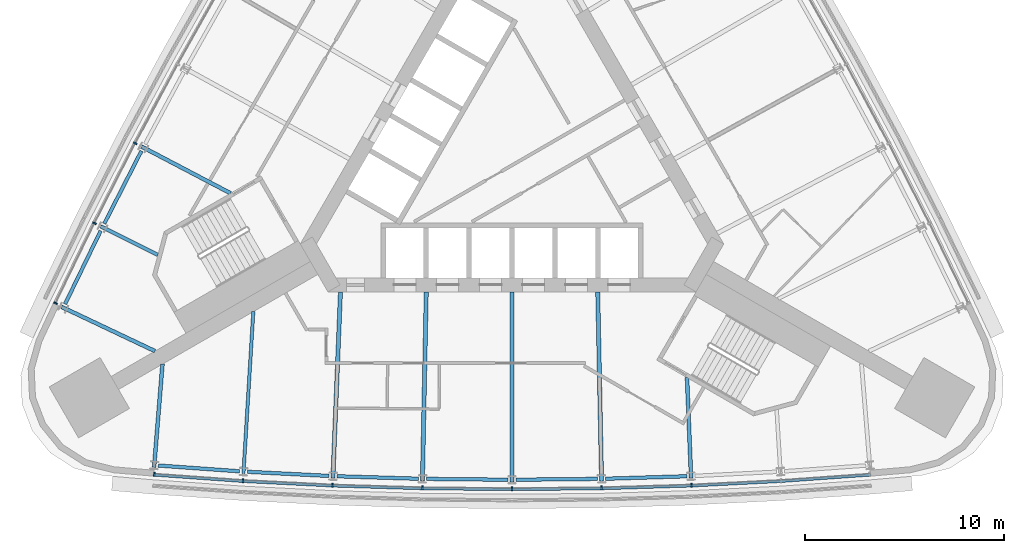
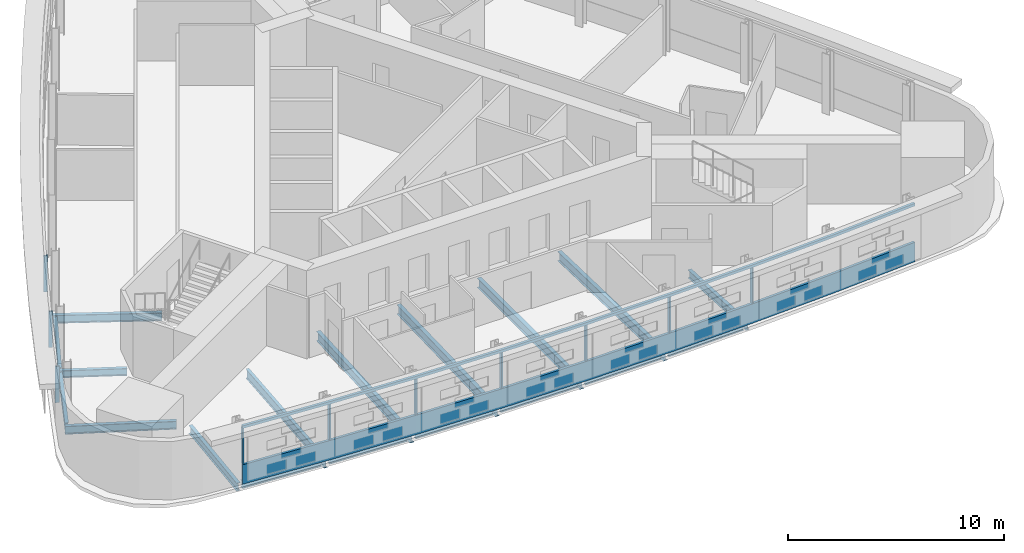
# One storey, part 2 of 11: 18 beams, 12 members, 2 elements without a shape of their own.
"""IFC4 building model written with IfcOpenShell, lengths in metres."""

from ifc_helpers import new_model, si_unit, direction, frame, origin, origin_2d, place, context, subcontext, project, spatial, polyline, rectangle, i_section, outline, extrude, material, material_profile, profile_set, type_object, element, aggregate, save


model = new_model("IFC4")

# Units and contexts
model_context = context("Model", 3, precision=1e-05, world=origin(), true_north=direction((0.0, 1.0)))
body_context = subcontext(model_context, "Body", "Model", "MODEL_VIEW")
ifc_project = project(units=[si_unit("LENGTHUNIT", "METRE"), si_unit("AREAUNIT", "SQUARE_METRE"), si_unit("VOLUMEUNIT", "CUBIC_METRE"), si_unit("PLANEANGLEUNIT", "RADIAN"), si_unit("MASSUNIT", "GRAM", prefix="KILO")], contexts=[model_context])

# Site, building, storey
site_placement = place(None, origin())
site = spatial("IfcSite", under=ifc_project, at=site_placement, CompositionType="ELEMENT")
building_placement = place(site_placement, origin())
building = spatial("IfcBuilding", under=site, at=building_placement, Name="Noor Cloister Tower", CompositionType="ELEMENT")
storey_placement = place(building_placement, frame((0.0, 0.0, 116.699951171875)))
storey = spatial("IfcBuildingStorey", under=building, at=storey_placement, Name="L30", CompositionType="ELEMENT", Elevation=116.699951171875)

# Curtain wall, member
ifc_material_1 = material(Name="Aluminium 6063-T6 anodised", Category="aluminium")
curtain_wall_type = type_object("IfcCurtainWallType", Name="Ribbon curtain wall, lower tower CW1", PredefinedType="NOTDEFINED", material=ifc_material_1)
curtain_wall_1_placement = place(storey_placement, origin())
curtain_wall_1 = element("IfcCurtainWall", 1, at=curtain_wall_1_placement, inside=storey, type_object=curtain_wall_type, Name="CW1 L30 S run 2", PredefinedType="NOTDEFINED")
ifc_material_2 = material(Name="Aluminium 6063-T6 anodised", Category="aluminium")
member_type_1 = type_object("IfcMemberType", Name="Head transom CW1 150", PredefinedType="USERDEFINED", material=ifc_material_2)
member_1_placement = place(storey_placement, frame((0.0, 0.0, 3.150146484375)))
member_1 = element("IfcMember", 2, at=member_1_placement, type_object=member_type_1, Name="CW1 head transom", ObjectType="TRANSOM", PredefinedType="USERDEFINED", context=body_context, shape_type="SweptSolid", body=[
    extrude(outline(polyline([(-17.980224609375, -16.1689453125), (-13.49169921875, -16.48828125), (-8.99755859375, -16.716552734375), (-4.499755859375, -16.853515625), (0.0, -16.899169921875), (4.499755859375, -16.853515625), (8.99755859375, -16.716552734375), (13.49169921875, -16.48828125), (17.980224609375, -16.1689453125), (17.97021484375, -16.029296875), (13.483154296875, -16.3486328125), (8.991943359375, -16.57666015625), (4.496826171875, -16.713623046875), (0.0, -16.759033203125), (-4.496826171875, -16.713623046875), (-8.991943359375, -16.57666015625), (-13.483154296875, -16.3486328125), (-17.97021484375, -16.029296875), (-17.980224609375, -16.1689453125)])), origin(), (0.0, 0.0, 1.0), 0.14990234375),
])

# Curtain wall, members
curtain_wall_2_placement = place(storey_placement, origin())
curtain_wall_2 = element("IfcCurtainWall", 3, at=curtain_wall_2_placement, inside=storey, type_object=curtain_wall_type, Name="CW1 L30 NW run 1", PredefinedType="NOTDEFINED")
ifc_material_3 = material(Name="Aluminium 6063-T6 anodised", Category="aluminium")
ifc_material_profile_1 = material_profile(ifc_material_3, rectangle(XDim=0.199951171875, YDim=0.080078125, at=origin_2d()), Name="200 x 80 mullion")
ifc_profile_set_1 = profile_set([ifc_material_profile_1], Name="Aluminium 6063-T6 anodised")
member_type_2 = type_object("IfcMemberType", Name="Mullion CW1 80 x 200", PredefinedType="MULLION", material=ifc_profile_set_1)
member_2_placement = place(storey_placement, frame((-18.88720703125, 0.519775390625, 1.10009765625), z_axis=(0.0, 0.0, 1.0), x_axis=(0.885601336169, -0.464446200733, 0.0)))
member_2 = element("IfcMember", 4, at=member_2_placement, type_object=member_type_2, Name="CW1 mullion 7", PredefinedType="MULLION", context=body_context, shape_type="SweptSolid", body=[
    extrude(rectangle(XDim=0.199951171875, YDim=0.080078125, at=origin_2d()), origin(), (0.0, 0.0, 1.0), 2.050048828125),
])
member_3_placement = place(storey_placement, frame((-20.935546875, -3.484619140625, 1.10009765625), z_axis=(0.0, 0.0, 1.0), x_axis=(0.894844162674, -0.446378678398, 0.0)))
member_3 = element("IfcMember", 5, at=member_3_placement, type_object=member_type_2, Name="CW1 mullion 8", PredefinedType="MULLION", context=body_context, shape_type="SweptSolid", body=[
    extrude(rectangle(XDim=0.199951171875, YDim=0.080078125, at=origin_2d()), origin(), (0.0, 0.0, 1.0), 2.050048828125),
])
member_4_placement = place(storey_placement, frame((-22.885498046875, -7.49462890625, 1.10009765625), z_axis=(0.0, 0.0, 1.0), x_axis=(0.899327595933, -0.437275514056, 0.0)))
member_4 = element("IfcMember", 6, at=member_4_placement, type_object=member_type_2, Name="CW1 mullion 9", PredefinedType="MULLION", context=body_context, shape_type="SweptSolid", body=[
    extrude(rectangle(XDim=0.199951171875, YDim=0.080078125, at=origin_2d()), origin(), (0.0, 0.0, 1.0), 2.050048828125),
])
aggregate(curtain_wall_2, [member_2, member_3, member_4])

# Member
member_5_placement = place(storey_placement, frame((-17.933349609375, -16.072021484375, 1.10009765625), z_axis=(0.0, 0.0, 1.0), x_axis=(0.070972094341, 0.997478301431, 0.0)))
member_5 = element("IfcMember", 7, at=member_5_placement, type_object=member_type_2, Name="CW1 mullion 1", PredefinedType="MULLION", context=body_context, shape_type="SweptSolid", body=[
    extrude(rectangle(XDim=0.199951171875, YDim=0.080078125, at=origin_2d()), origin(), (0.0, 0.0, 1.0), 2.050048828125),
])

member_6_placement = place(storey_placement, frame((-13.485595703125, -16.388427734375, 1.10009765625), z_axis=(0.0, 0.0, 1.0), x_axis=(0.060846806136, 0.998147116503, 0.0)))
member_6 = element("IfcMember", 8, at=member_6_placement, type_object=member_type_2, Name="CW1 mullion 2", PredefinedType="MULLION", context=body_context, shape_type="SweptSolid", body=[
    extrude(rectangle(XDim=0.199951171875, YDim=0.080078125, at=origin_2d()), origin(), (0.0, 0.0, 1.0), 2.050048828125),
])

member_7_placement = place(storey_placement, frame((-8.993408203125, -16.61669921875, 1.10009765625), z_axis=(0.0, 0.0, 1.0), x_axis=(0.040578459559, 0.999176355114, 0.0)))
member_7 = element("IfcMember", 9, at=member_7_placement, type_object=member_type_2, Name="CW1 mullion 3", PredefinedType="MULLION", context=body_context, shape_type="SweptSolid", body=[
    extrude(rectangle(XDim=0.199951171875, YDim=0.080078125, at=origin_2d()), origin(), (0.0, 0.0, 1.0), 2.050048828125),
])

member_8_placement = place(storey_placement, frame((-4.49755859375, -16.75341796875, 1.10009765625), z_axis=(0.0, 0.0, 1.0), x_axis=(0.020293417575, 0.999794067397, 0.0)))
member_8 = element("IfcMember", 10, at=member_8_placement, type_object=member_type_2, Name="CW1 mullion 4", PredefinedType="MULLION", context=body_context, shape_type="SweptSolid", body=[
    extrude(rectangle(XDim=0.199951171875, YDim=0.080078125, at=origin_2d()), origin(), (0.0, 0.0, 1.0), 2.050048828125),
])

member_9_placement = place(storey_placement, frame((0.0, -16.799072265625, 1.10009765625), z_axis=(0.0, 0.0, 1.0), x_axis=(0.0, 1.0, 0.0)))
member_9 = element("IfcMember", 11, at=member_9_placement, type_object=member_type_2, Name="CW1 mullion 5", PredefinedType="MULLION", context=body_context, shape_type="SweptSolid", body=[
    extrude(rectangle(XDim=0.199951171875, YDim=0.080078125, at=origin_2d()), origin(), (0.0, 0.0, 1.0), 2.050048828125),
])

member_10_placement = place(storey_placement, frame((4.49755859375, -16.75341796875, 1.10009765625), z_axis=(0.0, 0.0, 1.0), x_axis=(-0.020293417575, 0.999794067397, 0.0)))
member_10 = element("IfcMember", 12, at=member_10_placement, type_object=member_type_2, Name="CW1 mullion 6", PredefinedType="MULLION", context=body_context, shape_type="SweptSolid", body=[
    extrude(rectangle(XDim=0.199951171875, YDim=0.080078125, at=origin_2d()), origin(), (0.0, 0.0, 1.0), 2.050048828125),
])

member_11_placement = place(storey_placement, frame((8.993408203125, -16.61669921875, 1.10009765625), z_axis=(0.0, 0.0, 1.0), x_axis=(-0.040578459559, 0.999176355114, 0.0)))
member_11 = element("IfcMember", 13, at=member_11_placement, type_object=member_type_2, Name="CW1 mullion 7", PredefinedType="MULLION", context=body_context, shape_type="SweptSolid", body=[
    extrude(rectangle(XDim=0.199951171875, YDim=0.080078125, at=origin_2d()), origin(), (0.0, 0.0, 1.0), 2.050048828125),
])

# Beams
ifc_material_4 = material(Name="Steel ASTM A992 Gr 50", Category="steel")
ifc_material_profile_2 = material_profile(ifc_material_4, i_section(OverallWidth=0.177978515625, OverallDepth=0.406005859375, WebThickness=0.0078125, FlangeThickness=0.0126953125, FilletRadius=0.01025390625, at=origin_2d()), Name="W410x60")
ifc_profile_set_2 = profile_set([ifc_material_profile_2], Name="Steel ASTM A992 Gr 50")
beam_type_1 = type_object("IfcBeamType", Name="Radial beam W410x60", PredefinedType="BEAM", material=ifc_profile_set_2)
beam_1_placement = place(storey_placement, frame((-20.622802734375, -3.640625, -0.40283203125), z_axis=(0.894837673451, -0.446391686943, 0.0), x_axis=(0.446391686943, 0.894837673451, 0.0)))
element("IfcBeam", 14, at=beam_1_placement, inside=storey, type_object=beam_type_1, Name="Radial beam NW 08 L30", PredefinedType="BEAM", context=body_context, shape_type="SweptSolid", body=[
    extrude(i_section(OverallWidth=0.177978515625, OverallDepth=0.406005859375, WebThickness=0.0078125, FlangeThickness=0.0126953125, FilletRadius=0.01025390625, at=origin_2d()), origin(), (0.0, 0.0, 1.0), 3.208740234375),
])
ifc_material_5 = material(Name="Steel ASTM A992 Gr 50", Category="steel")
ifc_material_profile_3 = material_profile(ifc_material_5, i_section(OverallWidth=0.19091796875, OverallDepth=0.45703125, WebThickness=0.009033203125, FlangeThickness=0.014404296875, FilletRadius=0.01025390625, at=origin_2d()), Name="W460x74")
ifc_profile_set_3 = profile_set([ifc_material_profile_3], Name="Steel ASTM A992 Gr 50")
beam_type_2 = type_object("IfcBeamType", Name="Radial beam W460x74", PredefinedType="BEAM", material=ifc_profile_set_3)
beam_2_placement = place(storey_placement, frame((-18.57763671875, 0.357421875, -0.428466796875), z_axis=(0.885586063016, -0.464475322263, 0.0), x_axis=(0.464475322263, 0.885586063016, 0.0)))
element("IfcBeam", 15, at=beam_2_placement, inside=storey, type_object=beam_type_2, Name="Radial beam NW 07 L30", PredefinedType="BEAM", context=body_context, shape_type="SweptSolid", body=[
    extrude(i_section(OverallWidth=0.19091796875, OverallDepth=0.45703125, WebThickness=0.009033203125, FlangeThickness=0.014404296875, FilletRadius=0.01025390625, at=origin_2d()), origin(), (0.0, 0.0, 1.0), 5.04443359375),
])
for number, where, z_axis, x_axis, name in (
    (16, (-22.586669921875, -7.67919921875, -0.428466796875), (0.903712923998, -0.428138938895, 0.0), (0.428138938895, 0.903712923998, 0.0), "Radial beam NW 09 L30"),
    (17, (-17.94384765625, -15.720947265625, -0.428466796875), (0.08108247603, 0.996707395418, 0.0), (-0.996707395418, 0.08108247603, 0.0), "Radial beam S 01 L30"),
):
    element("IfcBeam", number, at=place(storey_placement, frame(where, z_axis=z_axis, x_axis=x_axis)), inside=storey, type_object=beam_type_2, Name=name, PredefinedType="BEAM", context=body_context, shape_type="SweptSolid", body=[
        extrude(i_section(OverallWidth=0.19091796875, OverallDepth=0.45703125, WebThickness=0.009033203125, FlangeThickness=0.014404296875, FilletRadius=0.01025390625, at=origin_2d()), origin(), (0.0, 0.0, 1.0), 5.18798828125),
    ])
beam_3_placement = place(storey_placement, frame((8.979248046875, -16.267333984375, -0.428466796875), z_axis=(-0.040557544065, 0.999177204313, 0.0), x_axis=(-0.999177204313, -0.040557544065, 0.0)))
element("IfcBeam", 18, at=beam_3_placement, inside=storey, type_object=beam_type_2, Name="Radial beam S 07 L30", PredefinedType="BEAM", context=body_context, shape_type="SweptSolid", body=[
    extrude(i_section(OverallWidth=0.19091796875, OverallDepth=0.45703125, WebThickness=0.009033203125, FlangeThickness=0.014404296875, FilletRadius=0.01025390625, at=origin_2d()), origin(), (0.0, 0.0, 1.0), 5.04443359375),
])
ifc_material_6 = material(Name="Steel ASTM A992 Gr 50", Category="steel")
ifc_material_profile_4 = material_profile(ifc_material_6, i_section(OverallWidth=0.166015625, OverallDepth=0.528076171875, WebThickness=0.009765625, FlangeThickness=0.013671875, FilletRadius=0.0126953125, at=origin_2d()), Name="W530x74")
ifc_profile_set_4 = profile_set([ifc_material_profile_4], Name="Steel ASTM A992 Gr 50")
beam_type_3 = type_object("IfcBeamType", Name="Radial beam W530x74", PredefinedType="BEAM", material=ifc_profile_set_4)
beam_4_placement = place(storey_placement, frame((-13.46435546875, -16.03955078125, -0.4638671875), z_axis=(0.060842147734, 0.998147400467, 0.0), x_axis=(-0.998147400467, 0.060842147734, 0.0)))
element("IfcBeam", 19, at=beam_4_placement, inside=storey, type_object=beam_type_3, Name="Radial beam S 02 L30", PredefinedType="BEAM", context=body_context, shape_type="SweptSolid", body=[
    extrude(i_section(OverallWidth=0.166015625, OverallDepth=0.528076171875, WebThickness=0.009765625, FlangeThickness=0.013671875, FilletRadius=0.0126953125, at=origin_2d()), origin(), (0.0, 0.0, 1.0), 8.1337890625),
])
ifc_material_7 = material(Name="Steel ASTM A992 Gr 50", Category="steel")
ifc_material_profile_5 = material_profile(ifc_material_7, i_section(OverallWidth=0.208984375, OverallDepth=0.532958984375, WebThickness=0.01025390625, FlangeThickness=0.015625, FilletRadius=0.0126953125, at=origin_2d()), Name="W530x92")
ifc_profile_set_5 = profile_set([ifc_material_profile_5], Name="Steel ASTM A992 Gr 50")
beam_type_4 = type_object("IfcBeamType", Name="Radial beam W530x92", PredefinedType="BEAM", material=ifc_profile_set_5)
beam_5_placement = place(storey_placement, frame((-8.979248046875, -16.267333984375, -0.466552734375), z_axis=(0.040564707257, 0.999176913527, 0.0), x_axis=(-0.999176913527, 0.040564707257, 0.0)))
element("IfcBeam", 20, at=beam_5_placement, inside=storey, type_object=beam_type_4, Name="Radial beam S 03 L30", PredefinedType="BEAM", context=body_context, shape_type="SweptSolid", body=[
    extrude(i_section(OverallWidth=0.208984375, OverallDepth=0.532958984375, WebThickness=0.01025390625, FlangeThickness=0.015625, FilletRadius=0.0126953125, at=origin_2d()), origin(), (0.0, 0.0, 1.0), 9.346923828125),
])
beam_6_placement = place(storey_placement, frame((-4.490478515625, -16.404052734375, -0.466552734375), z_axis=(0.020272544362, 0.999794490856, 0.0), x_axis=(-0.999794490856, 0.020272544362, 0.0)))
element("IfcBeam", 21, at=beam_6_placement, inside=storey, type_object=beam_type_4, Name="Radial beam S 04 L30", PredefinedType="BEAM", context=body_context, shape_type="SweptSolid", body=[
    extrude(i_section(OverallWidth=0.208984375, OverallDepth=0.532958984375, WebThickness=0.01025390625, FlangeThickness=0.015625, FilletRadius=0.0126953125, at=origin_2d()), origin(), (0.0, 0.0, 1.0), 9.477783203125),
])
beam_7_placement = place(storey_placement, frame((0.0, -16.44970703125, -0.466552734375), z_axis=(0.0, 1.0, 0.0), x_axis=(-1.0, 0.0, 0.0)))
element("IfcBeam", 22, at=beam_7_placement, inside=storey, type_object=beam_type_4, Name="Radial beam S 05 L30", PredefinedType="BEAM", context=body_context, shape_type="SweptSolid", body=[
    extrude(i_section(OverallWidth=0.208984375, OverallDepth=0.532958984375, WebThickness=0.01025390625, FlangeThickness=0.015625, FilletRadius=0.0126953125, at=origin_2d()), origin(), (0.0, 0.0, 1.0), 9.521484375),
])
beam_8_placement = place(storey_placement, frame((4.490478515625, -16.404052734375, -0.466552734375), z_axis=(-0.020272544362, 0.999794490856, 0.0), x_axis=(-0.999794490856, -0.020272544362, 0.0)))
element("IfcBeam", 23, at=beam_8_placement, inside=storey, type_object=beam_type_4, Name="Radial beam S 06 L30", PredefinedType="BEAM", context=body_context, shape_type="SweptSolid", body=[
    extrude(i_section(OverallWidth=0.208984375, OverallDepth=0.532958984375, WebThickness=0.01025390625, FlangeThickness=0.015625, FilletRadius=0.0126953125, at=origin_2d()), origin(), (0.0, 0.0, 1.0), 9.477783203125),
])

# Member
ifc_material_8 = material(Name="Aluminium 6063-T6 anodised", Category="aluminium")
member_type_3 = type_object("IfcMemberType", Name="Sill transom CW1 1100", PredefinedType="USERDEFINED", material=ifc_material_8)
member_12_placement = place(storey_placement, origin())
member_12 = element("IfcMember", 24, at=member_12_placement, type_object=member_type_3, Name="CW1 sill transom", ObjectType="TRANSOM", PredefinedType="USERDEFINED", context=body_context, shape_type="SweptSolid", body=[
    extrude(outline(polyline([(-17.980224609375, -16.1689453125), (-13.49169921875, -16.48828125), (-8.99755859375, -16.716552734375), (-4.499755859375, -16.853515625), (0.0, -16.899169921875), (4.499755859375, -16.853515625), (8.99755859375, -16.716552734375), (13.49169921875, -16.48828125), (17.980224609375, -16.1689453125), (17.97021484375, -16.029296875), (13.483154296875, -16.3486328125), (8.991943359375, -16.57666015625), (4.496826171875, -16.713623046875), (0.0, -16.759033203125), (-4.496826171875, -16.713623046875), (-8.991943359375, -16.57666015625), (-13.483154296875, -16.3486328125), (-17.97021484375, -16.029296875), (-17.980224609375, -16.1689453125)])), origin(), (0.0, 0.0, 1.0), 1.10009765625),
])

aggregate(curtain_wall_1, [member_5, member_6, member_7, member_8, member_9, member_10, member_11, member_12, member_1])

# Beams
ifc_material_9 = material(Name="Steel ASTM A992 Gr 50", Category="steel")
ifc_material_profile_6 = material_profile(ifc_material_9, i_section(OverallWidth=0.177978515625, OverallDepth=0.406005859375, WebThickness=0.0078125, FlangeThickness=0.0126953125, FilletRadius=0.01025390625, at=origin_2d()), Name="W410x60")
ifc_profile_set_6 = profile_set([ifc_material_profile_6], Name="Steel ASTM A992 Gr 50")
beam_type_5 = type_object("IfcBeamType", Name="Spandrel beam W410x60", PredefinedType="SPANDREL", material=ifc_profile_set_6)
for number, where, z_axis, x_axis, name in (
    (25, (-18.579833984375, 0.13232421875, -0.40283203125), (-0.455436177251, -0.890268436176, 0.0), (0.890268436176, -0.455436177251, 0.0), "Spandrel beam NW 07 L30"),
    (26, (-20.62060546875, -3.86572265625, -0.40283203125), (-0.437296029783, -0.899317620386, 0.0), (0.899317620386, -0.437296029783, 0.0), "Spandrel beam NW 08 L30"),
):
    element("IfcBeam", number, at=place(storey_placement, frame(where, z_axis=z_axis, x_axis=x_axis)), inside=storey, type_object=beam_type_5, Name=name, PredefinedType="SPANDREL", context=body_context, shape_type="SweptSolid", body=[
        extrude(i_section(OverallWidth=0.177978515625, OverallDepth=0.406005859375, WebThickness=0.0078125, FlangeThickness=0.0126953125, FilletRadius=0.01025390625, at=origin_2d()), origin(), (0.0, 0.0, 1.0), 4.087890625),
    ])
beam_9_placement = place(storey_placement, frame((-17.735595703125, -15.635009765625, -0.40283203125), z_axis=(0.997479576003, -0.07095417857, 0.0), x_axis=(0.07095417857, 0.997479576003, 0.0)))
element("IfcBeam", 27, at=beam_9_placement, inside=storey, type_object=beam_type_5, Name="Spandrel beam S 01 L30", PredefinedType="SPANDREL", context=body_context, shape_type="SweptSolid", body=[
    extrude(i_section(OverallWidth=0.177978515625, OverallDepth=0.406005859375, WebThickness=0.0078125, FlangeThickness=0.0126953125, FilletRadius=0.01025390625, at=origin_2d()), origin(), (0.0, 0.0, 1.0), 4.087646484375),
])
for number, where, z_axis, x_axis, name in (
    (28, (-13.258056640625, -15.949462890625, -0.40283203125), (0.998713616936, -0.050706127304, 0.0), (0.050706127304, 0.998713616936, 0.0), "Spandrel beam S 02 L30"),
    (29, (-8.77490234375, -16.173095703125, -0.40283203125), (0.999536014209, -0.030459092211, 0.0), (0.030459092211, 0.999536014209, 0.0), "Spandrel beam S 03 L30"),
    (30, (-4.2880859375, -16.3056640625, -0.40283203125), (0.999948457235, -0.010152973645, 0.0), (0.010152973645, 0.999948457235, 0.0), "Spandrel beam S 04 L30"),
    (31, (0.200439453125, -16.34716796875, -0.40283203125), (0.999948457235, 0.010152973645, 0.0), (-0.010152973645, 0.999948457235, 0.0), "Spandrel beam S 05 L30"),
    (32, (4.68896484375, -16.297607421875, -0.40283203125), (0.999536014209, 0.030459092211, 0.0), (-0.030459092211, 0.999536014209, 0.0), "Spandrel beam S 06 L30"),
):
    element("IfcBeam", number, at=place(storey_placement, frame(where, z_axis=z_axis, x_axis=x_axis)), inside=storey, type_object=beam_type_5, Name=name, PredefinedType="SPANDREL", context=body_context, shape_type="SweptSolid", body=[
        extrude(i_section(OverallWidth=0.177978515625, OverallDepth=0.406005859375, WebThickness=0.0078125, FlangeThickness=0.0126953125, FilletRadius=0.01025390625, at=origin_2d()), origin(), (0.0, 0.0, 1.0), 4.087890625),
    ])

save(model, "model.ifc")
